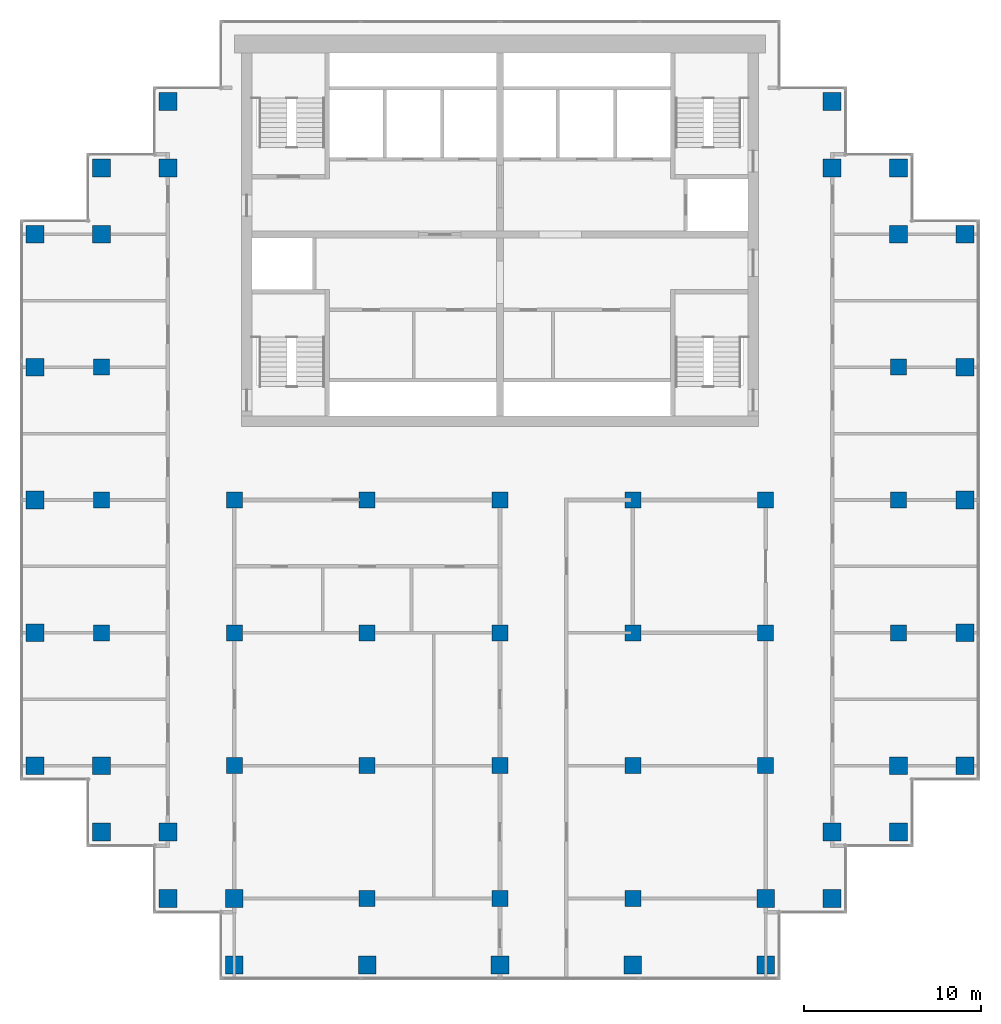
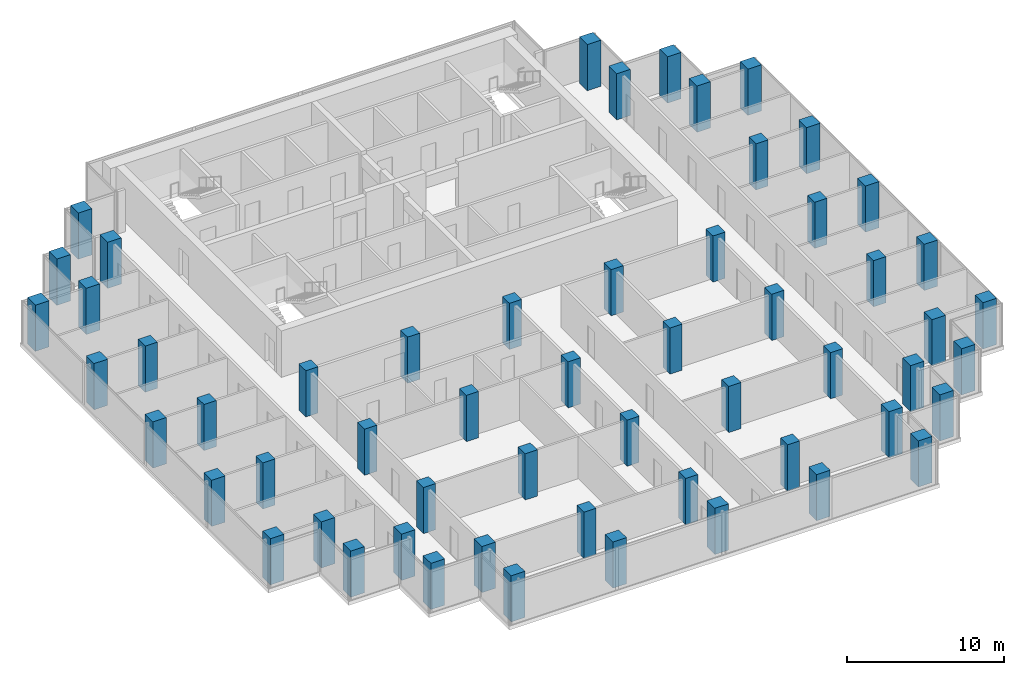
# One storey, part 1 of 12: 57 columns.
"""IFC4 building model written with IfcOpenShell, lengths in metres."""

from ifc_helpers import new_model, si_unit, direction, frame, origin, origin_2d, place, context, subcontext, project, spatial, rectangle, extrude, material, material_profile, profile_set, type_object, element, save


model = new_model("IFC4")

# Units and contexts
model_context = context("Model", 3, precision=1e-05, world=origin(), true_north=direction((0.0, 1.0)))
body_context = subcontext(model_context, "Body", "Model", "MODEL_VIEW")
ifc_project = project(units=[si_unit("LENGTHUNIT", "METRE"), si_unit("AREAUNIT", "SQUARE_METRE"), si_unit("VOLUMEUNIT", "CUBIC_METRE"), si_unit("PLANEANGLEUNIT", "RADIAN"), si_unit("MASSUNIT", "GRAM", prefix="KILO")], contexts=[model_context])

# Site, building, storey
site_placement = place(None, origin())
site = spatial("IfcSite", under=ifc_project, at=site_placement, CompositionType="ELEMENT")
building_placement = place(site_placement, origin())
building = spatial("IfcBuilding", under=site, at=building_placement, Name="Pilkhan Gate Tower", CompositionType="ELEMENT")
storey_placement = place(building_placement, frame((0.0, 0.0, 188.699951171875)))
storey = spatial("IfcBuildingStorey", under=building, at=storey_placement, Name="L48", CompositionType="ELEMENT", Elevation=188.699951171875)

# Columns
ifc_material = material(Name="Concrete C50/60", Category="concrete")
ifc_material_profile_1 = material_profile(ifc_material, rectangle(XDim=1.0, YDim=1.0, at=origin_2d()), Name="RC 1000x1000")
ifc_profile_set_1 = profile_set([ifc_material_profile_1], Name="Concrete C50/60")
column_type_1 = type_object("IfcColumnType", Name="Column C100 RC 1000x1000 C50/60", PredefinedType="COLUMN", material=ifc_profile_set_1)
for number, where, z_axis, x_axis, name in (
    (1, (48.75, 52.5, 0.0), (0.0, 0.0, 1.0), (1.0, 0.0, 0.0), "Column 4/D L48"),
    (2, (48.75, 60.0, 0.0), (0.0, 0.0, 1.0), (1.0, 0.0, 0.0), "Column 4/F L48"),
    (3, (48.75, 67.5, 0.0), (0.0, 0.0, 1.0), (1.0, 0.0, 0.0), "Column 4/H L48"),
    (4, (48.75, 75.0, 0.0), (0.0, 0.0, 1.0), (1.0, 0.0, 0.0), "Column 4/K L48"),
    (5, (48.75, 82.5, 0.0), (0.0, 0.0, 1.0), (1.0, 0.0, 0.0), "Column 4/M L48"),
    (6, (52.5, 48.75, 0.0), (0.0, 0.0, 1.0), (1.0, 0.0, 0.0), "Column 5/C L48"),
    (7, (52.5, 52.5, 0.0), (0.0, 0.0, 1.0), (1.0, 0.0, 0.0), "Column 5/D L48"),
    (8, (52.5, 82.5, 0.0), (0.0, 0.0, 1.0), (1.0, 0.0, 0.0), "Column 5/M L48"),
    (9, (52.5, 86.25, 0.0), (0.0, 0.0, 1.0), (1.0, 0.0, 0.0), "Column 5/N L48"),
    (10, (56.25, 45.0, 0.0), (0.0, 0.0, 1.0), (1.0, 0.0, 0.0), "Column 6/B L48"),
    (11, (56.25, 48.75, 0.0), (0.0, 0.0, 1.0), (1.0, 0.0, 0.0), "Column 6/C L48"),
    (12, (56.25, 86.25, 0.0), (0.0, 0.0, 1.0), (1.0, 0.0, 0.0), "Column 6/N L48"),
    (13, (56.25, 90.0, 0.0), (0.0, 0.0, 1.0), (1.0, 0.0, 0.0), "Column 6/P L48"),
    (14, (60.0, 41.25, 0.0), (0.0, 0.0, 1.0), (1.0, 0.0, 0.0), "Column 7/A L48"),
    (15, (60.0, 45.0, 0.0), (0.0, 0.0, 1.0), (1.0, 0.0, 0.0), "Column 7/B L48"),
    (16, (67.5, 41.25, 0.0), (0.0, 0.0, 1.0), (1.0, 0.0, 0.0), "Column 9/A L48"),
    (17, (75.0, 41.25, 0.0), (0.0, 0.0, 1.0), (1.0, 0.0, 0.0), "Column 11/A L48"),
    (18, (82.5, 41.25, 0.0), (0.0, 0.0, 1.0), (1.0, 0.0, 0.0), "Column 13/A L48"),
    (19, (90.0, 41.25, 0.0), (0.0, 0.0, 1.0), (1.0, 0.0, 0.0), "Column 15/A L48"),
    (20, (90.0, 45.0, 0.0), (0.0, 0.0, 1.0), (1.0, 0.0, 0.0), "Column 15/B L48"),
    (21, (93.75, 45.0, 0.0), (0.0, 0.0, 1.0), (1.0, 0.0, 0.0), "Column 16/B L48"),
    (22, (93.75, 48.75, 0.0), (0.0, 0.0, 1.0), (1.0, 0.0, 0.0), "Column 16/C L48"),
    (23, (93.75, 86.25, 0.0), (0.0, 0.0, 1.0), (1.0, 0.0, 0.0), "Column 16/N L48"),
    (24, (93.75, 90.0, 0.0), (0.0, 0.0, 1.0), (1.0, 0.0, 0.0), "Column 16/P L48"),
    (25, (97.5, 48.75, 0.0), (0.0, 0.0, 1.0), (1.0, 0.0, 0.0), "Column 17/C L48"),
    (26, (97.5, 52.5, 0.0), (0.0, 0.0, 1.0), (1.0, 0.0, 0.0), "Column 17/D L48"),
    (27, (97.5, 82.5, 0.0), (0.0, 0.0, 1.0), (1.0, 0.0, 0.0), "Column 17/M L48"),
    (28, (97.5, 86.25, 0.0), (0.0, 0.0, 1.0), (1.0, 0.0, 0.0), "Column 17/N L48"),
    (29, (101.25, 52.5, 0.0), (0.0, 0.0, 1.0), (1.0, 0.0, 0.0), "Column 18/D L48"),
    (30, (101.25, 60.0, 0.0), (0.0, 0.0, 1.0), (1.0, 0.0, 0.0), "Column 18/F L48"),
    (31, (101.25, 67.5, 0.0), (0.0, 0.0, 1.0), (1.0, 0.0, 0.0), "Column 18/H L48"),
    (32, (101.25, 75.0, 0.0), (0.0, 0.0, 1.0), (1.0, 0.0, 0.0), "Column 18/K L48"),
    (33, (101.25, 82.5, 0.0), (0.0, 0.0, 1.0), (1.0, 0.0, 0.0), "Column 18/M L48"),
):
    element("IfcColumn", number, at=place(storey_placement, frame(where, z_axis=z_axis, x_axis=x_axis)), inside=storey, type_object=column_type_1, Name=name, PredefinedType="COLUMN", context=body_context, shape_type="SweptSolid", body=[
        extrude(rectangle(XDim=1.0, YDim=1.0, at=origin_2d()), origin(), (0.0, 0.0, 1.0), 3.60009765625),
    ])
ifc_material_profile_2 = material_profile(ifc_material, rectangle(XDim=0.89990234375, YDim=0.89990234375, at=origin_2d()), Name="RC 900x900")
ifc_profile_set_2 = profile_set([ifc_material_profile_2], Name="Concrete C50/60")
column_type_2 = type_object("IfcColumnType", Name="Column C90 RC 900x900 C50/60", PredefinedType="COLUMN", material=ifc_profile_set_2)
for number, where, z_axis, x_axis, name in (
    (34, (52.5, 60.0, 0.0), (0.0, 0.0, 1.0), (1.0, 0.0, 0.0), "Column 5/F L48"),
    (35, (52.5, 67.5, 0.0), (0.0, 0.0, 1.0), (1.0, 0.0, 0.0), "Column 5/H L48"),
    (36, (52.5, 75.0, 0.0), (0.0, 0.0, 1.0), (1.0, 0.0, 0.0), "Column 5/K L48"),
    (37, (60.0, 52.5, 0.0), (0.0, 0.0, 1.0), (1.0, 0.0, 0.0), "Column 7/D L48"),
    (38, (60.0, 60.0, 0.0), (0.0, 0.0, 1.0), (1.0, 0.0, 0.0), "Column 7/F L48"),
    (39, (60.0, 67.5, 0.0), (0.0, 0.0, 1.0), (1.0, 0.0, 0.0), "Column 7/H L48"),
    (40, (67.5, 45.0, 0.0), (0.0, 0.0, 1.0), (1.0, 0.0, 0.0), "Column 9/B L48"),
    (41, (67.5, 52.5, 0.0), (0.0, 0.0, 1.0), (1.0, 0.0, 0.0), "Column 9/D L48"),
    (42, (67.5, 60.0, 0.0), (0.0, 0.0, 1.0), (1.0, 0.0, 0.0), "Column 9/F L48"),
    (43, (67.5, 67.5, 0.0), (0.0, 0.0, 1.0), (1.0, 0.0, 0.0), "Column 9/H L48"),
    (44, (75.0, 45.0, 0.0), (0.0, 0.0, 1.0), (1.0, 0.0, 0.0), "Column 11/B L48"),
    (45, (75.0, 52.5, 0.0), (0.0, 0.0, 1.0), (1.0, 0.0, 0.0), "Column 11/D L48"),
    (46, (75.0, 60.0, 0.0), (0.0, 0.0, 1.0), (1.0, 0.0, 0.0), "Column 11/F L48"),
    (47, (75.0, 67.5, 0.0), (0.0, 0.0, 1.0), (1.0, 0.0, 0.0), "Column 11/H L48"),
    (48, (82.5, 45.0, 0.0), (0.0, 0.0, 1.0), (1.0, 0.0, 0.0), "Column 13/B L48"),
    (49, (82.5, 52.5, 0.0), (0.0, 0.0, 1.0), (1.0, 0.0, 0.0), "Column 13/D L48"),
    (50, (82.5, 60.0, 0.0), (0.0, 0.0, 1.0), (1.0, 0.0, 0.0), "Column 13/F L48"),
    (51, (82.5, 67.5, 0.0), (0.0, 0.0, 1.0), (1.0, 0.0, 0.0), "Column 13/H L48"),
    (52, (90.0, 52.5, 0.0), (0.0, 0.0, 1.0), (1.0, 0.0, 0.0), "Column 15/D L48"),
    (53, (90.0, 60.0, 0.0), (0.0, 0.0, 1.0), (1.0, 0.0, 0.0), "Column 15/F L48"),
    (54, (90.0, 67.5, 0.0), (0.0, 0.0, 1.0), (1.0, 0.0, 0.0), "Column 15/H L48"),
    (55, (97.5, 60.0, 0.0), (0.0, 0.0, 1.0), (1.0, 0.0, 0.0), "Column 17/F L48"),
    (56, (97.5, 67.5, 0.0), (0.0, 0.0, 1.0), (1.0, 0.0, 0.0), "Column 17/H L48"),
    (57, (97.5, 75.0, 0.0), (0.0, 0.0, 1.0), (1.0, 0.0, 0.0), "Column 17/K L48"),
):
    element("IfcColumn", number, at=place(storey_placement, frame(where, z_axis=z_axis, x_axis=x_axis)), inside=storey, type_object=column_type_2, Name=name, PredefinedType="COLUMN", context=body_context, shape_type="SweptSolid", body=[
        extrude(rectangle(XDim=0.89990234375, YDim=0.89990234375, at=origin_2d()), origin(), (0.0, 0.0, 1.0), 3.60009765625),
    ])

save(model, "model.ifc")
